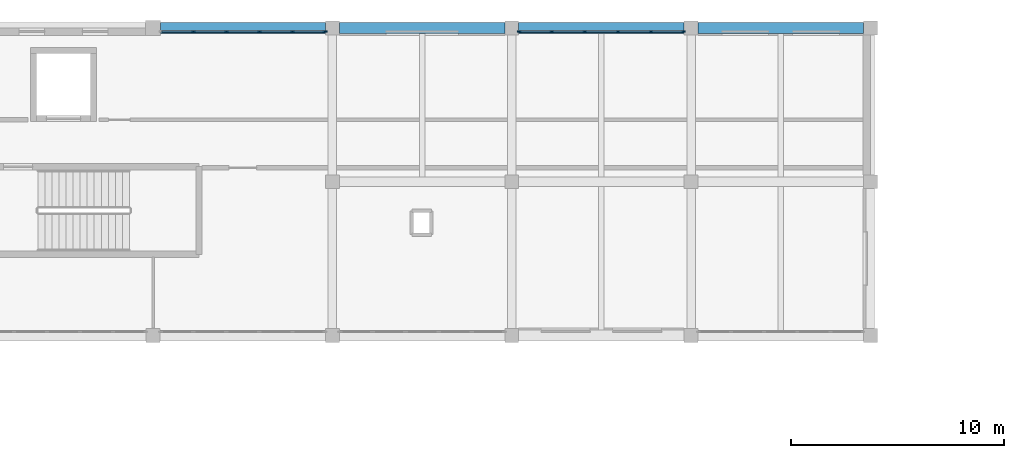
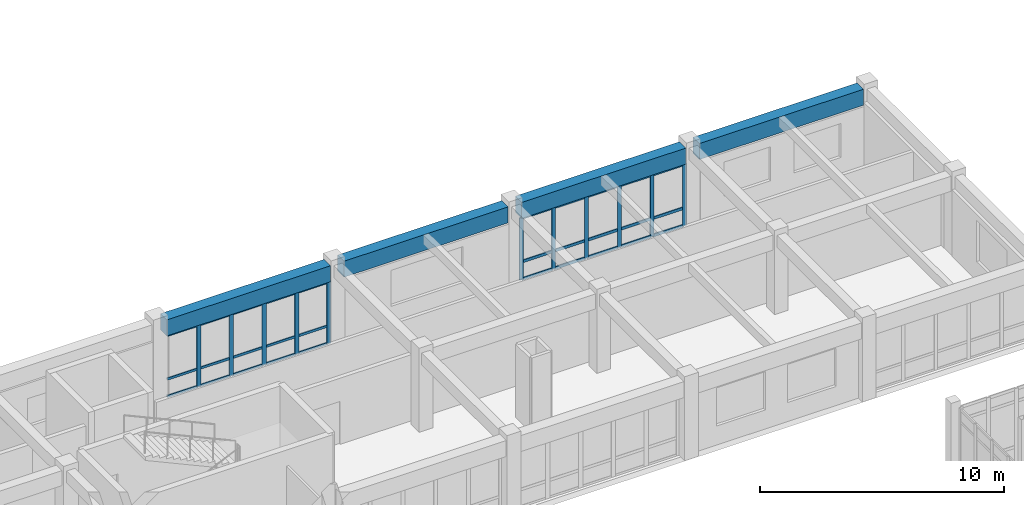
# One storey, part 99 of 147: 41 members, 4 beams, 2 elements without a shape of their own.
"""IFC4 building model written with IfcOpenShell, lengths in metres."""

from ifc_helpers import new_model, si_unit, direction, frame, origin, origin_2d, place, context, subcontext, project, spatial, rectangle, extrude, material, material_profile, profile_set, type_object, element, aggregate, save


model = new_model("IFC4")

# Units and contexts
model_context = context("Model", 3, precision=1e-05, world=origin(), true_north=direction((0.0, 1.0)))
body_context = subcontext(model_context, "Body", "Model", "MODEL_VIEW")
ifc_project = project(units=[si_unit("LENGTHUNIT", "METRE"), si_unit("AREAUNIT", "SQUARE_METRE"), si_unit("VOLUMEUNIT", "CUBIC_METRE"), si_unit("PLANEANGLEUNIT", "RADIAN"), si_unit("MASSUNIT", "GRAM", prefix="KILO")], contexts=[model_context])

# Site, building, storey
site_placement = place(None, origin())
site = spatial("IfcSite", under=ifc_project, at=site_placement, CompositionType="ELEMENT")
building_placement = place(site_placement, origin())
building = spatial("IfcBuilding", under=site, at=building_placement, Name="Malvenik Polytechnic", CompositionType="ELEMENT")
storey_placement = place(building_placement, frame((0.0, 0.0, 5.10009765625)))
storey = spatial("IfcBuildingStorey", under=building, at=storey_placement, Name="L01", CompositionType="ELEMENT", Elevation=5.10009765625)

# Curtain wall, members
ifc_material_1 = material(Name="Anodised aluminium 6060-T6", Category="aluminium")
curtain_wall_type = type_object("IfcCurtainWallType", Name="ARC-CW-CW-02", PredefinedType="NOTDEFINED", material=ifc_material_1)
curtain_wall_1_placement = place(storey_placement, origin())
curtain_wall_1 = element("IfcCurtainWall", 1, at=curtain_wall_1_placement, inside=storey, type_object=curtain_wall_type, Name="Unitised Curtain Wall CW-02 L01 #52", PredefinedType="NOTDEFINED")
ifc_material_2 = material(Name="Anodised aluminium", Category="aluminium")
ifc_material_profile_1 = material_profile(ifc_material_2, rectangle(XDim=0.06005859375, YDim=0.179931640625, at=origin_2d()), Name="ALU MULLION 60x180")
ifc_profile_set_1 = profile_set([ifc_material_profile_1], Name="Anodised aluminium")
member_type_1 = type_object("IfcMemberType", Name="ARC-CWM-180", PredefinedType="MULLION", material=ifc_profile_set_1)
member_1_placement = place(storey_placement, frame((117.952880859375, 129.429931640625, 0.0), z_axis=(0.0, 0.0, 1.0), x_axis=(0.0, 1.0, 0.0)))
member_1 = element("IfcMember", 2, at=member_1_placement, type_object=member_type_1, Name="CW-02 mullion 1", PredefinedType="MULLION", context=body_context, shape_type="SweptSolid", body=[
    extrude(rectangle(XDim=0.06005859375, YDim=0.179931640625, at=origin_2d()), origin(), (0.0, 0.0, 1.0), 3.10986328125),
])
member_2_placement = place(storey_placement, frame((119.473876953125, 129.429931640625, 0.0), z_axis=(0.0, 0.0, 1.0), x_axis=(0.0, 1.0, 0.0)))
member_2 = element("IfcMember", 3, at=member_2_placement, type_object=member_type_1, Name="CW-02 mullion 2", PredefinedType="MULLION", context=body_context, shape_type="SweptSolid", body=[
    extrude(rectangle(XDim=0.06005859375, YDim=0.179931640625, at=origin_2d()), origin(), (0.0, 0.0, 1.0), 3.10986328125),
])
member_3_placement = place(storey_placement, frame((121.024658203125, 129.429931640625, 0.0), z_axis=(0.0, 0.0, 1.0), x_axis=(0.0, 1.0, 0.0)))
member_3 = element("IfcMember", 4, at=member_3_placement, type_object=member_type_1, Name="CW-02 mullion 3", PredefinedType="MULLION", context=body_context, shape_type="SweptSolid", body=[
    extrude(rectangle(XDim=0.06005859375, YDim=0.179931640625, at=origin_2d()), origin(), (0.0, 0.0, 1.0), 3.10986328125),
])
member_4_placement = place(storey_placement, frame((122.575439453125, 129.429931640625, 0.0), z_axis=(0.0, 0.0, 1.0), x_axis=(0.0, 1.0, 0.0)))
member_4 = element("IfcMember", 5, at=member_4_placement, type_object=member_type_1, Name="CW-02 mullion 4", PredefinedType="MULLION", context=body_context, shape_type="SweptSolid", body=[
    extrude(rectangle(XDim=0.06005859375, YDim=0.179931640625, at=origin_2d()), origin(), (0.0, 0.0, 1.0), 3.10986328125),
])
member_5_placement = place(storey_placement, frame((124.126220703125, 129.429931640625, 0.0), z_axis=(0.0, 0.0, 1.0), x_axis=(0.0, 1.0, 0.0)))
member_5 = element("IfcMember", 6, at=member_5_placement, type_object=member_type_1, Name="CW-02 mullion 5", PredefinedType="MULLION", context=body_context, shape_type="SweptSolid", body=[
    extrude(rectangle(XDim=0.06005859375, YDim=0.179931640625, at=origin_2d()), origin(), (0.0, 0.0, 1.0), 3.10986328125),
])
member_6_placement = place(storey_placement, frame((125.64697265625, 129.429931640625, 0.0), z_axis=(0.0, 0.0, 1.0), x_axis=(0.0, 1.0, 0.0)))
member_6 = element("IfcMember", 7, at=member_6_placement, type_object=member_type_1, Name="CW-02 mullion 6", PredefinedType="MULLION", context=body_context, shape_type="SweptSolid", body=[
    extrude(rectangle(XDim=0.06005859375, YDim=0.179931640625, at=origin_2d()), origin(), (0.0, 0.0, 1.0), 3.10986328125),
])

curtain_wall_2_placement = place(storey_placement, origin())
curtain_wall_2 = element("IfcCurtainWall", 8, at=curtain_wall_2_placement, inside=storey, type_object=curtain_wall_type, Name="Unitised Curtain Wall CW-02 L01 #51", PredefinedType="NOTDEFINED")
ifc_material_profile_2 = material_profile(ifc_material_2, rectangle(XDim=0.06005859375, YDim=0.199951171875, at=origin_2d()), Name="ALU MULLION 60x200")
ifc_profile_set_2 = profile_set([ifc_material_profile_2], Name="Anodised aluminium")
member_type_2 = type_object("IfcMemberType", Name="ARC-CWM-200", PredefinedType="MULLION", material=ifc_profile_set_2)
member_7_placement = place(storey_placement, frame((102.69384765625, 129.429931640625, 0.0), z_axis=(0.0, 0.0, 1.0), x_axis=(0.0, 1.0, 0.0)))
member_7 = element("IfcMember", 9, at=member_7_placement, type_object=member_type_2, Name="CW-02 mullion 2", PredefinedType="MULLION", context=body_context, shape_type="SweptSolid", body=[
    extrude(rectangle(XDim=0.06005859375, YDim=0.199951171875, at=origin_2d()), origin(), (0.0, 0.0, 1.0), 3.10986328125),
])
member_8_placement = place(storey_placement, frame((104.239501953125, 129.429931640625, 0.0), z_axis=(0.0, 0.0, 1.0), x_axis=(0.0, 1.0, 0.0)))
member_8 = element("IfcMember", 10, at=member_8_placement, type_object=member_type_2, Name="CW-02 mullion 3", PredefinedType="MULLION", context=body_context, shape_type="SweptSolid", body=[
    extrude(rectangle(XDim=0.06005859375, YDim=0.199951171875, at=origin_2d()), origin(), (0.0, 0.0, 1.0), 3.10986328125),
])
member_9_placement = place(storey_placement, frame((105.785400390625, 129.429931640625, 0.0), z_axis=(0.0, 0.0, 1.0), x_axis=(0.0, 1.0, 0.0)))
member_9 = element("IfcMember", 11, at=member_9_placement, type_object=member_type_2, Name="CW-02 mullion 4", PredefinedType="MULLION", context=body_context, shape_type="SweptSolid", body=[
    extrude(rectangle(XDim=0.06005859375, YDim=0.199951171875, at=origin_2d()), origin(), (0.0, 0.0, 1.0), 3.10986328125),
])
member_10_placement = place(storey_placement, frame((107.331298828125, 129.429931640625, 0.0), z_axis=(0.0, 0.0, 1.0), x_axis=(0.0, 1.0, 0.0)))
member_10 = element("IfcMember", 12, at=member_10_placement, type_object=member_type_2, Name="CW-02 mullion 5", PredefinedType="MULLION", context=body_context, shape_type="SweptSolid", body=[
    extrude(rectangle(XDim=0.06005859375, YDim=0.199951171875, at=origin_2d()), origin(), (0.0, 0.0, 1.0), 3.10986328125),
])
member_11_placement = place(storey_placement, frame((108.846923828125, 129.429931640625, 0.0), z_axis=(0.0, 0.0, 1.0), x_axis=(0.0, 1.0, 0.0)))
member_11 = element("IfcMember", 13, at=member_11_placement, type_object=member_type_2, Name="CW-02 mullion 6", PredefinedType="MULLION", context=body_context, shape_type="SweptSolid", body=[
    extrude(rectangle(XDim=0.06005859375, YDim=0.199951171875, at=origin_2d()), origin(), (0.0, 0.0, 1.0), 3.10986328125),
])
ifc_material_profile_3 = material_profile(ifc_material_2, rectangle(XDim=0.06005859375, YDim=0.1201171875, at=origin_2d()), Name="ALU TRANSOM 60x120")
ifc_profile_set_3 = profile_set([ifc_material_profile_3], Name="Anodised aluminium")
member_type_3 = type_object("IfcMemberType", Name="ARC-CWT-120", PredefinedType="USERDEFINED", material=ifc_profile_set_3)
member_12_placement = place(storey_placement, frame((101.2080078125, 129.429931640625, 0.02978515625), z_axis=(1.0, 0.0, 0.0), x_axis=(0.0, 1.0, 0.0)))
member_12 = element("IfcMember", 14, at=member_12_placement, type_object=member_type_3, Name="CW-02 transom 1.1", ObjectType="TRANSOM", PredefinedType="USERDEFINED", context=body_context, shape_type="SweptSolid", body=[
    extrude(rectangle(XDim=0.06005859375, YDim=0.1201171875, at=origin_2d()), origin(), (0.0, 0.0, 1.0), 1.455810546875),
])
member_13_placement = place(storey_placement, frame((101.2080078125, 129.429931640625, 0.89990234375), z_axis=(1.0, 0.0, 0.0), x_axis=(0.0, 1.0, 0.0)))
member_13 = element("IfcMember", 15, at=member_13_placement, type_object=member_type_3, Name="CW-02 transom 1.2", ObjectType="TRANSOM", PredefinedType="USERDEFINED", context=body_context, shape_type="SweptSolid", body=[
    extrude(rectangle(XDim=0.06005859375, YDim=0.1201171875, at=origin_2d()), origin(), (0.0, 0.0, 1.0), 1.455810546875),
])
member_14_placement = place(storey_placement, frame((101.2080078125, 129.429931640625, 3.079833984375), z_axis=(1.0, 0.0, 0.0), x_axis=(0.0, 1.0, 0.0)))
member_14 = element("IfcMember", 16, at=member_14_placement, type_object=member_type_3, Name="CW-02 transom 1.3", ObjectType="TRANSOM", PredefinedType="USERDEFINED", context=body_context, shape_type="SweptSolid", body=[
    extrude(rectangle(XDim=0.06005859375, YDim=0.1201171875, at=origin_2d()), origin(), (0.0, 0.0, 1.0), 1.455810546875),
])
member_15_placement = place(storey_placement, frame((102.723876953125, 129.429931640625, 0.02978515625), z_axis=(1.0, 0.0, 0.0), x_axis=(0.0, 1.0, 0.0)))
member_15 = element("IfcMember", 17, at=member_15_placement, type_object=member_type_3, Name="CW-02 transom 2.1", ObjectType="TRANSOM", PredefinedType="USERDEFINED", context=body_context, shape_type="SweptSolid", body=[
    extrude(rectangle(XDim=0.06005859375, YDim=0.1201171875, at=origin_2d()), origin(), (0.0, 0.0, 1.0), 1.48583984375),
])
member_16_placement = place(storey_placement, frame((102.723876953125, 129.429931640625, 0.89990234375), z_axis=(1.0, 0.0, 0.0), x_axis=(0.0, 1.0, 0.0)))
member_16 = element("IfcMember", 18, at=member_16_placement, type_object=member_type_3, Name="CW-02 transom 2.2", ObjectType="TRANSOM", PredefinedType="USERDEFINED", context=body_context, shape_type="SweptSolid", body=[
    extrude(rectangle(XDim=0.06005859375, YDim=0.1201171875, at=origin_2d()), origin(), (0.0, 0.0, 1.0), 1.48583984375),
])
member_17_placement = place(storey_placement, frame((102.723876953125, 129.429931640625, 3.079833984375), z_axis=(1.0, 0.0, 0.0), x_axis=(0.0, 1.0, 0.0)))
member_17 = element("IfcMember", 19, at=member_17_placement, type_object=member_type_3, Name="CW-02 transom 2.3", ObjectType="TRANSOM", PredefinedType="USERDEFINED", context=body_context, shape_type="SweptSolid", body=[
    extrude(rectangle(XDim=0.06005859375, YDim=0.1201171875, at=origin_2d()), origin(), (0.0, 0.0, 1.0), 1.48583984375),
])
member_18_placement = place(storey_placement, frame((104.26953125, 129.429931640625, 0.02978515625), z_axis=(1.0, 0.0, 0.0), x_axis=(0.0, 1.0, 0.0)))
member_18 = element("IfcMember", 20, at=member_18_placement, type_object=member_type_3, Name="CW-02 transom 3.1", ObjectType="TRANSOM", PredefinedType="USERDEFINED", context=body_context, shape_type="SweptSolid", body=[
    extrude(rectangle(XDim=0.06005859375, YDim=0.1201171875, at=origin_2d()), origin(), (0.0, 0.0, 1.0), 1.48583984375),
])
member_19_placement = place(storey_placement, frame((104.26953125, 129.429931640625, 0.89990234375), z_axis=(1.0, 0.0, 0.0), x_axis=(0.0, 1.0, 0.0)))
member_19 = element("IfcMember", 21, at=member_19_placement, type_object=member_type_3, Name="CW-02 transom 3.2", ObjectType="TRANSOM", PredefinedType="USERDEFINED", context=body_context, shape_type="SweptSolid", body=[
    extrude(rectangle(XDim=0.06005859375, YDim=0.1201171875, at=origin_2d()), origin(), (0.0, 0.0, 1.0), 1.48583984375),
])
member_20_placement = place(storey_placement, frame((104.26953125, 129.429931640625, 3.079833984375), z_axis=(1.0, 0.0, 0.0), x_axis=(0.0, 1.0, 0.0)))
member_20 = element("IfcMember", 22, at=member_20_placement, type_object=member_type_3, Name="CW-02 transom 3.3", ObjectType="TRANSOM", PredefinedType="USERDEFINED", context=body_context, shape_type="SweptSolid", body=[
    extrude(rectangle(XDim=0.06005859375, YDim=0.1201171875, at=origin_2d()), origin(), (0.0, 0.0, 1.0), 1.48583984375),
])
member_21_placement = place(storey_placement, frame((105.8154296875, 129.429931640625, 0.02978515625), z_axis=(1.0, 0.0, 0.0), x_axis=(0.0, 1.0, 0.0)))
member_21 = element("IfcMember", 23, at=member_21_placement, type_object=member_type_3, Name="CW-02 transom 4.1", ObjectType="TRANSOM", PredefinedType="USERDEFINED", context=body_context, shape_type="SweptSolid", body=[
    extrude(rectangle(XDim=0.06005859375, YDim=0.1201171875, at=origin_2d()), origin(), (0.0, 0.0, 1.0), 1.48583984375),
])
member_22_placement = place(storey_placement, frame((105.8154296875, 129.429931640625, 0.89990234375), z_axis=(1.0, 0.0, 0.0), x_axis=(0.0, 1.0, 0.0)))
member_22 = element("IfcMember", 24, at=member_22_placement, type_object=member_type_3, Name="CW-02 transom 4.2", ObjectType="TRANSOM", PredefinedType="USERDEFINED", context=body_context, shape_type="SweptSolid", body=[
    extrude(rectangle(XDim=0.06005859375, YDim=0.1201171875, at=origin_2d()), origin(), (0.0, 0.0, 1.0), 1.48583984375),
])
member_23_placement = place(storey_placement, frame((105.8154296875, 129.429931640625, 3.079833984375), z_axis=(1.0, 0.0, 0.0), x_axis=(0.0, 1.0, 0.0)))
member_23 = element("IfcMember", 25, at=member_23_placement, type_object=member_type_3, Name="CW-02 transom 4.3", ObjectType="TRANSOM", PredefinedType="USERDEFINED", context=body_context, shape_type="SweptSolid", body=[
    extrude(rectangle(XDim=0.06005859375, YDim=0.1201171875, at=origin_2d()), origin(), (0.0, 0.0, 1.0), 1.48583984375),
])
member_24_placement = place(storey_placement, frame((107.361083984375, 129.429931640625, 0.02978515625), z_axis=(1.0, 0.0, 0.0), x_axis=(0.0, 1.0, 0.0)))
member_24 = element("IfcMember", 26, at=member_24_placement, type_object=member_type_3, Name="CW-02 transom 5.1", ObjectType="TRANSOM", PredefinedType="USERDEFINED", context=body_context, shape_type="SweptSolid", body=[
    extrude(rectangle(XDim=0.06005859375, YDim=0.1201171875, at=origin_2d()), origin(), (0.0, 0.0, 1.0), 1.455810546875),
])
member_25_placement = place(storey_placement, frame((107.361083984375, 129.429931640625, 0.89990234375), z_axis=(1.0, 0.0, 0.0), x_axis=(0.0, 1.0, 0.0)))
member_25 = element("IfcMember", 27, at=member_25_placement, type_object=member_type_3, Name="CW-02 transom 5.2", ObjectType="TRANSOM", PredefinedType="USERDEFINED", context=body_context, shape_type="SweptSolid", body=[
    extrude(rectangle(XDim=0.06005859375, YDim=0.1201171875, at=origin_2d()), origin(), (0.0, 0.0, 1.0), 1.455810546875),
])
member_26_placement = place(storey_placement, frame((107.361083984375, 129.429931640625, 3.079833984375), z_axis=(1.0, 0.0, 0.0), x_axis=(0.0, 1.0, 0.0)))
member_26 = element("IfcMember", 28, at=member_26_placement, type_object=member_type_3, Name="CW-02 transom 5.3", ObjectType="TRANSOM", PredefinedType="USERDEFINED", context=body_context, shape_type="SweptSolid", body=[
    extrude(rectangle(XDim=0.06005859375, YDim=0.1201171875, at=origin_2d()), origin(), (0.0, 0.0, 1.0), 1.455810546875),
])
aggregate(curtain_wall_2, [member_7, member_8, member_9, member_10, member_11, member_12, member_13, member_14, member_15, member_16, member_17, member_18, member_19, member_20, member_21, member_22, member_23, member_24, member_25, member_26])

# Member
ifc_material_profile_4 = material_profile(ifc_material_2, rectangle(XDim=0.06005859375, YDim=0.139892578125, at=origin_2d()), Name="ALU TRANSOM 60x140")
ifc_profile_set_4 = profile_set([ifc_material_profile_4], Name="Anodised aluminium")
member_type_4 = type_object("IfcMemberType", Name="ARC-CWT-140", PredefinedType="USERDEFINED", material=ifc_profile_set_4)
member_27_placement = place(storey_placement, frame((117.98291015625, 129.429931640625, 0.02978515625), z_axis=(1.0, 0.0, 0.0), x_axis=(0.0, 1.0, 0.0)))
member_27 = element("IfcMember", 29, at=member_27_placement, type_object=member_type_4, Name="CW-02 transom 1.1", ObjectType="TRANSOM", PredefinedType="USERDEFINED", context=body_context, shape_type="SweptSolid", body=[
    extrude(rectangle(XDim=0.06005859375, YDim=0.139892578125, at=origin_2d()), origin(), (0.0, 0.0, 1.0), 1.4609375),
])

member_28_placement = place(storey_placement, frame((117.98291015625, 129.429931640625, 0.89990234375), z_axis=(1.0, 0.0, 0.0), x_axis=(0.0, 1.0, 0.0)))
member_28 = element("IfcMember", 30, at=member_28_placement, type_object=member_type_4, Name="CW-02 transom 1.2", ObjectType="TRANSOM", PredefinedType="USERDEFINED", context=body_context, shape_type="SweptSolid", body=[
    extrude(rectangle(XDim=0.06005859375, YDim=0.139892578125, at=origin_2d()), origin(), (0.0, 0.0, 1.0), 1.4609375),
])

member_29_placement = place(storey_placement, frame((117.98291015625, 129.429931640625, 3.079833984375), z_axis=(1.0, 0.0, 0.0), x_axis=(0.0, 1.0, 0.0)))
member_29 = element("IfcMember", 31, at=member_29_placement, type_object=member_type_4, Name="CW-02 transom 1.3", ObjectType="TRANSOM", PredefinedType="USERDEFINED", context=body_context, shape_type="SweptSolid", body=[
    extrude(rectangle(XDim=0.06005859375, YDim=0.139892578125, at=origin_2d()), origin(), (0.0, 0.0, 1.0), 1.4609375),
])

member_30_placement = place(storey_placement, frame((119.50390625, 129.429931640625, 0.02978515625), z_axis=(1.0, 0.0, 0.0), x_axis=(0.0, 1.0, 0.0)))
member_30 = element("IfcMember", 32, at=member_30_placement, type_object=member_type_4, Name="CW-02 transom 2.1", ObjectType="TRANSOM", PredefinedType="USERDEFINED", context=body_context, shape_type="SweptSolid", body=[
    extrude(rectangle(XDim=0.06005859375, YDim=0.139892578125, at=origin_2d()), origin(), (0.0, 0.0, 1.0), 1.49072265625),
])

member_31_placement = place(storey_placement, frame((119.50390625, 129.429931640625, 0.89990234375), z_axis=(1.0, 0.0, 0.0), x_axis=(0.0, 1.0, 0.0)))
member_31 = element("IfcMember", 33, at=member_31_placement, type_object=member_type_4, Name="CW-02 transom 2.2", ObjectType="TRANSOM", PredefinedType="USERDEFINED", context=body_context, shape_type="SweptSolid", body=[
    extrude(rectangle(XDim=0.06005859375, YDim=0.139892578125, at=origin_2d()), origin(), (0.0, 0.0, 1.0), 1.49072265625),
])

member_32_placement = place(storey_placement, frame((119.50390625, 129.429931640625, 3.079833984375), z_axis=(1.0, 0.0, 0.0), x_axis=(0.0, 1.0, 0.0)))
member_32 = element("IfcMember", 34, at=member_32_placement, type_object=member_type_4, Name="CW-02 transom 2.3", ObjectType="TRANSOM", PredefinedType="USERDEFINED", context=body_context, shape_type="SweptSolid", body=[
    extrude(rectangle(XDim=0.06005859375, YDim=0.139892578125, at=origin_2d()), origin(), (0.0, 0.0, 1.0), 1.49072265625),
])

member_33_placement = place(storey_placement, frame((121.0546875, 129.429931640625, 0.02978515625), z_axis=(1.0, 0.0, 0.0), x_axis=(0.0, 1.0, 0.0)))
member_33 = element("IfcMember", 35, at=member_33_placement, type_object=member_type_4, Name="CW-02 transom 3.1", ObjectType="TRANSOM", PredefinedType="USERDEFINED", context=body_context, shape_type="SweptSolid", body=[
    extrude(rectangle(XDim=0.06005859375, YDim=0.139892578125, at=origin_2d()), origin(), (0.0, 0.0, 1.0), 1.49072265625),
])

member_34_placement = place(storey_placement, frame((121.0546875, 129.429931640625, 0.89990234375), z_axis=(1.0, 0.0, 0.0), x_axis=(0.0, 1.0, 0.0)))
member_34 = element("IfcMember", 36, at=member_34_placement, type_object=member_type_4, Name="CW-02 transom 3.2", ObjectType="TRANSOM", PredefinedType="USERDEFINED", context=body_context, shape_type="SweptSolid", body=[
    extrude(rectangle(XDim=0.06005859375, YDim=0.139892578125, at=origin_2d()), origin(), (0.0, 0.0, 1.0), 1.49072265625),
])

member_35_placement = place(storey_placement, frame((121.0546875, 129.429931640625, 3.079833984375), z_axis=(1.0, 0.0, 0.0), x_axis=(0.0, 1.0, 0.0)))
member_35 = element("IfcMember", 37, at=member_35_placement, type_object=member_type_4, Name="CW-02 transom 3.3", ObjectType="TRANSOM", PredefinedType="USERDEFINED", context=body_context, shape_type="SweptSolid", body=[
    extrude(rectangle(XDim=0.06005859375, YDim=0.139892578125, at=origin_2d()), origin(), (0.0, 0.0, 1.0), 1.49072265625),
])

member_36_placement = place(storey_placement, frame((122.60546875, 129.429931640625, 0.02978515625), z_axis=(1.0, 0.0, 0.0), x_axis=(0.0, 1.0, 0.0)))
member_36 = element("IfcMember", 38, at=member_36_placement, type_object=member_type_4, Name="CW-02 transom 4.1", ObjectType="TRANSOM", PredefinedType="USERDEFINED", context=body_context, shape_type="SweptSolid", body=[
    extrude(rectangle(XDim=0.06005859375, YDim=0.139892578125, at=origin_2d()), origin(), (0.0, 0.0, 1.0), 1.49072265625),
])

member_37_placement = place(storey_placement, frame((122.60546875, 129.429931640625, 0.89990234375), z_axis=(1.0, 0.0, 0.0), x_axis=(0.0, 1.0, 0.0)))
member_37 = element("IfcMember", 39, at=member_37_placement, type_object=member_type_4, Name="CW-02 transom 4.2", ObjectType="TRANSOM", PredefinedType="USERDEFINED", context=body_context, shape_type="SweptSolid", body=[
    extrude(rectangle(XDim=0.06005859375, YDim=0.139892578125, at=origin_2d()), origin(), (0.0, 0.0, 1.0), 1.49072265625),
])

member_38_placement = place(storey_placement, frame((122.60546875, 129.429931640625, 3.079833984375), z_axis=(1.0, 0.0, 0.0), x_axis=(0.0, 1.0, 0.0)))
member_38 = element("IfcMember", 40, at=member_38_placement, type_object=member_type_4, Name="CW-02 transom 4.3", ObjectType="TRANSOM", PredefinedType="USERDEFINED", context=body_context, shape_type="SweptSolid", body=[
    extrude(rectangle(XDim=0.06005859375, YDim=0.139892578125, at=origin_2d()), origin(), (0.0, 0.0, 1.0), 1.49072265625),
])

member_39_placement = place(storey_placement, frame((124.15625, 129.429931640625, 0.02978515625), z_axis=(1.0, 0.0, 0.0), x_axis=(0.0, 1.0, 0.0)))
member_39 = element("IfcMember", 41, at=member_39_placement, type_object=member_type_4, Name="CW-02 transom 5.1", ObjectType="TRANSOM", PredefinedType="USERDEFINED", context=body_context, shape_type="SweptSolid", body=[
    extrude(rectangle(XDim=0.06005859375, YDim=0.139892578125, at=origin_2d()), origin(), (0.0, 0.0, 1.0), 1.460693359375),
])

member_40_placement = place(storey_placement, frame((124.15625, 129.429931640625, 0.89990234375), z_axis=(1.0, 0.0, 0.0), x_axis=(0.0, 1.0, 0.0)))
member_40 = element("IfcMember", 42, at=member_40_placement, type_object=member_type_4, Name="CW-02 transom 5.2", ObjectType="TRANSOM", PredefinedType="USERDEFINED", context=body_context, shape_type="SweptSolid", body=[
    extrude(rectangle(XDim=0.06005859375, YDim=0.139892578125, at=origin_2d()), origin(), (0.0, 0.0, 1.0), 1.460693359375),
])

member_41_placement = place(storey_placement, frame((124.15625, 129.429931640625, 3.079833984375), z_axis=(1.0, 0.0, 0.0), x_axis=(0.0, 1.0, 0.0)))
member_41 = element("IfcMember", 43, at=member_41_placement, type_object=member_type_4, Name="CW-02 transom 5.3", ObjectType="TRANSOM", PredefinedType="USERDEFINED", context=body_context, shape_type="SweptSolid", body=[
    extrude(rectangle(XDim=0.06005859375, YDim=0.139892578125, at=origin_2d()), origin(), (0.0, 0.0, 1.0), 1.460693359375),
])

aggregate(curtain_wall_1, [member_1, member_2, member_3, member_4, member_5, member_6, member_27, member_28, member_29, member_30, member_31, member_32, member_33, member_34, member_35, member_36, member_37, member_38, member_39, member_40, member_41])

# Beams
ifc_material_3 = material(Name="Precast concrete C40/50", Category="concrete")
ifc_material_profile_5 = material_profile(ifc_material_3, rectangle(XDim=0.52001953125, YDim=0.800048828125, at=origin_2d()), Name="PC SPN 520x800")
ifc_profile_set_5 = profile_set([ifc_material_profile_5], Name="Precast concrete C40/50")
beam_type = type_object("IfcBeamType", Name="STR-BM-SP-01", PredefinedType="SPANDREL", material=ifc_profile_set_5)
beam_1_placement = place(storey_placement, frame((101.14794921875, 129.60009765625, 3.52001953125), z_axis=(1.0, 0.0, 0.0), x_axis=(0.0, 1.0, 0.0)))
element("IfcBeam", 44, at=beam_1_placement, inside=storey, type_object=beam_type, Name="Primary Beam SP-01 L01 #1123", PredefinedType="SPANDREL", context=body_context, shape_type="SweptSolid", body=[
    extrude(rectangle(XDim=0.52001953125, YDim=0.800048828125, at=origin_2d()), origin(), (0.0, 0.0, 1.0), 7.72900390625),
])
beam_2_placement = place(storey_placement, frame((109.52294921875, 129.60009765625, 3.52001953125), z_axis=(1.0, 0.0, 0.0), x_axis=(0.0, 1.0, 0.0)))
element("IfcBeam", 45, at=beam_2_placement, inside=storey, type_object=beam_type, Name="Primary Beam SP-01 L01 #1124", PredefinedType="SPANDREL", context=body_context, shape_type="SweptSolid", body=[
    extrude(rectangle(XDim=0.52001953125, YDim=0.800048828125, at=origin_2d()), origin(), (0.0, 0.0, 1.0), 7.754150390625),
])
for number, where, z_axis, x_axis, name in (
    (46, (117.923095703125, 129.60009765625, 3.52001953125), (1.0, 0.0, 0.0), (0.0, 1.0, 0.0), "Primary Beam SP-01 L01 #1125"),
    (47, (126.322998046875, 129.60009765625, 3.52001953125), (1.0, 0.0, 0.0), (0.0, 1.0, 0.0), "Primary Beam SP-01 L01 #1126"),
):
    element("IfcBeam", number, at=place(storey_placement, frame(where, z_axis=z_axis, x_axis=x_axis)), inside=storey, type_object=beam_type, Name=name, PredefinedType="SPANDREL", context=body_context, shape_type="SweptSolid", body=[
        extrude(rectangle(XDim=0.52001953125, YDim=0.800048828125, at=origin_2d()), origin(), (0.0, 0.0, 1.0), 7.75390625),
    ])

save(model, "model.ifc")
